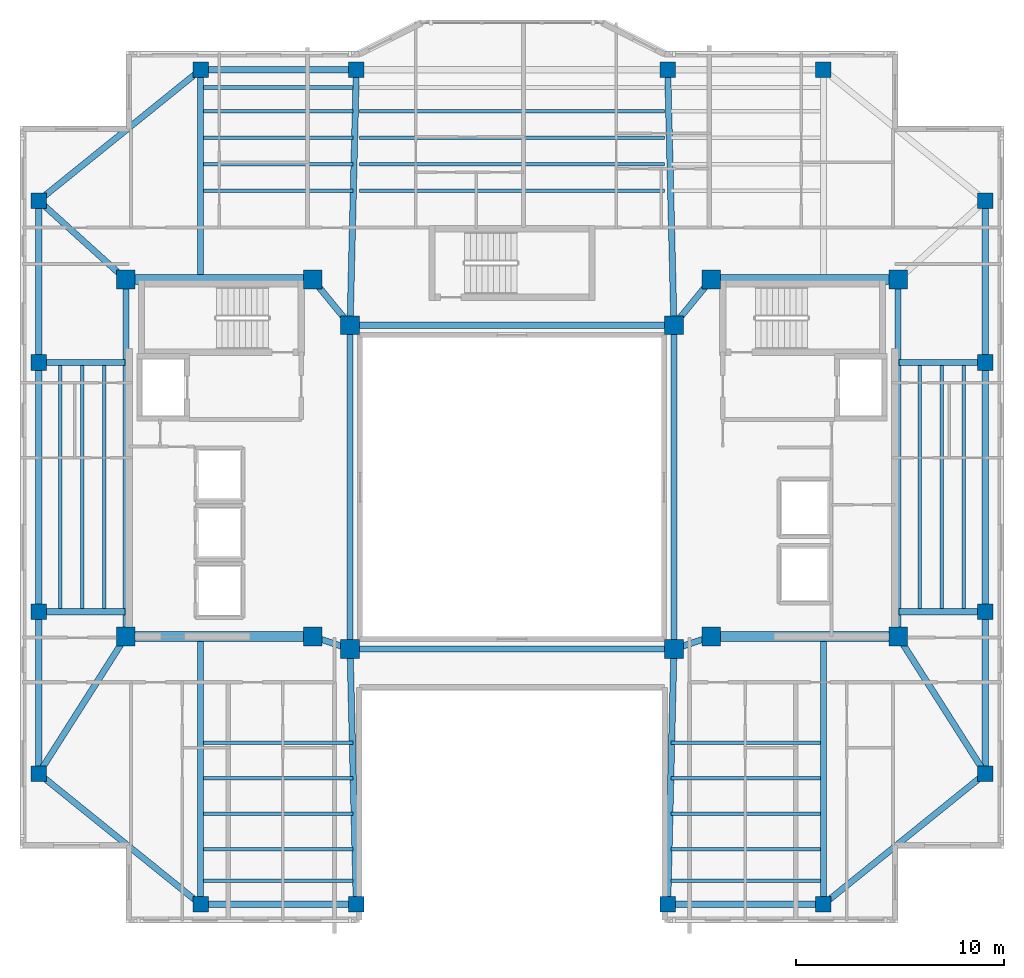
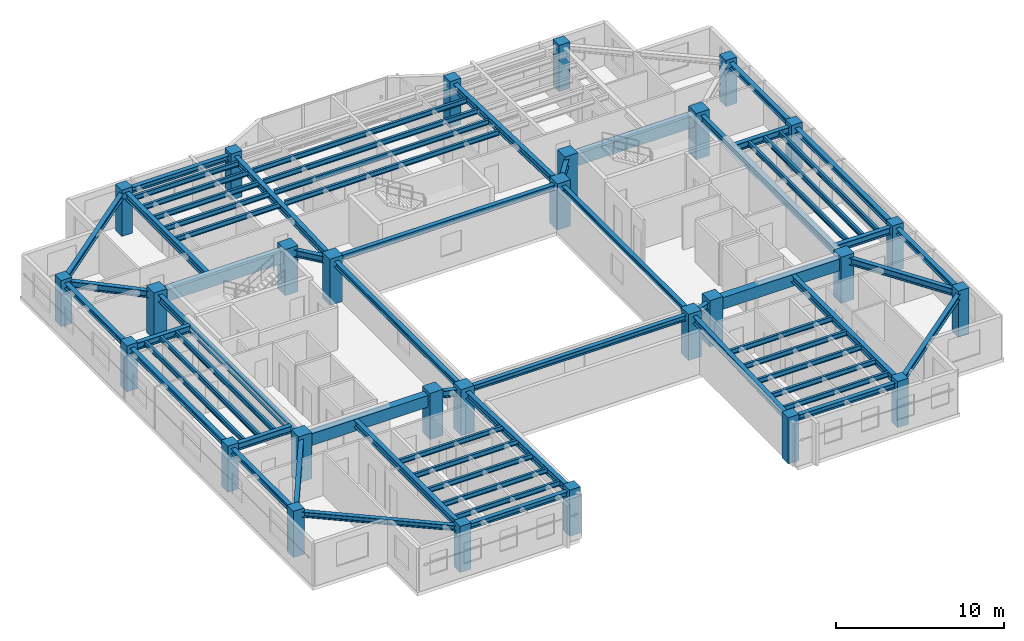
# One storey, part 1 of 12: 65 beams, 28 columns.
"""IFC4 building model written with IfcOpenShell, lengths in metres."""

from ifc_helpers import new_model, si_unit, direction, frame, origin, origin_2d, place, context, subcontext, project, spatial, rectangle, i_section, extrude, material, material_profile, profile_set, type_object, element, save


model = new_model("IFC4")

# Units and contexts
model_context = context("Model", 3, precision=1e-05, world=origin(), true_north=direction((0.0, 1.0)))
body_context = subcontext(model_context, "Body", "Model", "MODEL_VIEW")
ifc_project = project(units=[si_unit("LENGTHUNIT", "METRE"), si_unit("AREAUNIT", "SQUARE_METRE"), si_unit("VOLUMEUNIT", "CUBIC_METRE"), si_unit("PLANEANGLEUNIT", "RADIAN"), si_unit("MASSUNIT", "GRAM", prefix="KILO")], contexts=[model_context])

# Site, building, storey
site_placement = place(None, origin())
site = spatial("IfcSite", under=ifc_project, at=site_placement, CompositionType="ELEMENT")
building_placement = place(site_placement, origin())
building = spatial("IfcBuilding", under=site, at=building_placement, Name="Tarnavaz Court Tower", CompositionType="ELEMENT")
storey_placement = place(building_placement, frame((0.0, 0.0, 207.0)))
storey = spatial("IfcBuildingStorey", under=building, at=storey_placement, Name="L56", CompositionType="ELEMENT", Elevation=207.0)

# Columns
ifc_material_1 = material(Name="Concrete C50/60", Category="concrete")
ifc_material_profile_1 = material_profile(ifc_material_1, rectangle(XDim=0.75, YDim=0.75, at=origin_2d()), Name="RC 750X750")
ifc_profile_set_1 = profile_set([ifc_material_profile_1], Name="Concrete C50/60")
column_type_1 = type_object("IfcColumnType", Name="CL-RC750", PredefinedType="COLUMN", material=ifc_profile_set_1)
for number, where, z_axis, x_axis, name in (
    (1, (-15.0, 20.10009765625, 0.0), (0.0, 0.0, 1.0), (1.0, 0.0, 0.0), "L56 Column PN-1"),
    (2, (-7.5, 20.10009765625, 0.0), (0.0, 0.0, 1.0), (1.0, 0.0, 0.0), "L56 Column PN-2"),
    (3, (7.5, 20.10009765625, 0.0), (0.0, 0.0, 1.0), (1.0, 0.0, 0.0), "L56 Column PN-3"),
    (4, (15.0, 20.10009765625, 0.0), (0.0, 0.0, 1.0), (1.0, 0.0, 0.0), "L56 Column PN-4"),
    (5, (-15.0, -20.10009765625, 0.0), (0.0, 0.0, 1.0), (1.0, 0.0, 0.0), "L56 Column PS-1"),
    (6, (-7.5, -20.10009765625, 0.0), (0.0, 0.0, 1.0), (1.0, 0.0, 0.0), "L56 Column PS-2"),
    (7, (7.5, -20.10009765625, 0.0), (0.0, 0.0, 1.0), (1.0, 0.0, 0.0), "L56 Column PS-3"),
    (8, (15.0, -20.10009765625, 0.0), (0.0, 0.0, 1.0), (1.0, 0.0, 0.0), "L56 Column PS-4"),
    (9, (22.800048828125, -13.800048828125, 0.0), (0.0, 0.0, 1.0), (1.0, 0.0, 0.0), "L56 Column PE-1"),
    (10, (22.800048828125, -6.0, 0.0), (0.0, 0.0, 1.0), (1.0, 0.0, 0.0), "L56 Column PE-2"),
    (11, (22.800048828125, 6.0, 0.0), (0.0, 0.0, 1.0), (1.0, 0.0, 0.0), "L56 Column PE-3"),
    (12, (22.800048828125, 13.800048828125, 0.0), (0.0, 0.0, 1.0), (1.0, 0.0, 0.0), "L56 Column PE-4"),
    (13, (-22.800048828125, -13.800048828125, 0.0), (0.0, 0.0, 1.0), (1.0, 0.0, 0.0), "L56 Column PW-1"),
    (14, (-22.800048828125, -6.0, 0.0), (0.0, 0.0, 1.0), (1.0, 0.0, 0.0), "L56 Column PW-2"),
    (15, (-22.800048828125, 6.0, 0.0), (0.0, 0.0, 1.0), (1.0, 0.0, 0.0), "L56 Column PW-3"),
    (16, (-22.800048828125, 13.800048828125, 0.0), (0.0, 0.0, 1.0), (1.0, 0.0, 0.0), "L56 Column PW-4"),
):
    element("IfcColumn", number, at=place(storey_placement, frame(where, z_axis=z_axis, x_axis=x_axis)), inside=storey, type_object=column_type_1, Name=name, PredefinedType="COLUMN", context=body_context, shape_type="SweptSolid", body=[
        extrude(rectangle(XDim=0.75, YDim=0.75, at=origin_2d()), origin(), (0.0, 0.0, 1.0), 3.35009765625),
    ])
ifc_material_profile_2 = material_profile(ifc_material_1, rectangle(XDim=0.89990234375, YDim=0.89990234375, at=origin_2d()), Name="RC 900X900")
ifc_profile_set_2 = profile_set([ifc_material_profile_2], Name="Concrete C50/60")
column_type_2 = type_object("IfcColumnType", Name="CL-RC900", PredefinedType="COLUMN", material=ifc_profile_set_2)
for number, where, z_axis, x_axis, name in (
    (17, (-7.800048828125, -7.800048828125, 0.0), (0.0, 0.0, 1.0), (1.0, 0.0, 0.0), "L56 Column IW-SW"),
    (18, (7.800048828125, -7.800048828125, 0.0), (0.0, 0.0, 1.0), (1.0, 0.0, 0.0), "L56 Column IW-SE"),
    (19, (-7.800048828125, 7.800048828125, 0.0), (0.0, 0.0, 1.0), (1.0, 0.0, 0.0), "L56 Column IW-NW"),
    (20, (7.800048828125, 7.800048828125, 0.0), (0.0, 0.0, 1.0), (1.0, 0.0, 0.0), "L56 Column IW-NE"),
    (21, (-9.60009765625, -7.199951171875, 0.0), (0.0, 0.0, 1.0), (1.0, 0.0, 0.0), "L56 Column CW-SI"),
    (22, (-9.60009765625, 10.0, 0.0), (0.0, 0.0, 1.0), (1.0, 0.0, 0.0), "L56 Column CW-NI"),
    (23, (9.60009765625, -7.199951171875, 0.0), (0.0, 0.0, 1.0), (1.0, 0.0, 0.0), "L56 Column CE-SI"),
    (24, (9.60009765625, 10.0, 0.0), (0.0, 0.0, 1.0), (1.0, 0.0, 0.0), "L56 Column CE-NI"),
    (25, (-18.60009765625, -7.199951171875, 0.0), (0.0, 0.0, 1.0), (1.0, 0.0, 0.0), "L56 Column CW-SO"),
    (26, (-18.60009765625, 10.0, 0.0), (0.0, 0.0, 1.0), (1.0, 0.0, 0.0), "L56 Column CW-NO"),
    (27, (18.60009765625, -7.199951171875, 0.0), (0.0, 0.0, 1.0), (1.0, 0.0, 0.0), "L56 Column CE-SO"),
    (28, (18.60009765625, 10.0, 0.0), (0.0, 0.0, 1.0), (1.0, 0.0, 0.0), "L56 Column CE-NO"),
):
    element("IfcColumn", number, at=place(storey_placement, frame(where, z_axis=z_axis, x_axis=x_axis)), inside=storey, type_object=column_type_2, Name=name, PredefinedType="COLUMN", context=body_context, shape_type="SweptSolid", body=[
        extrude(rectangle(XDim=0.89990234375, YDim=0.89990234375, at=origin_2d()), origin(), (0.0, 0.0, 1.0), 3.35009765625),
    ])

# Beams
ifc_material_profile_3 = material_profile(ifc_material_1, rectangle(XDim=0.5, YDim=0.85009765625, at=origin_2d()), Name="RC 500X850")
ifc_profile_set_3 = profile_set([ifc_material_profile_3], Name="Concrete C50/60")
beam_type_1 = type_object("IfcBeamType", Name="BM-CB850", PredefinedType="LINTEL", material=ifc_profile_set_3)
for number, where, z_axis, x_axis, name in (
    (29, (-18.3798828125, -7.199951171875, 2.675048828125), (1.0, 0.0, 0.0), (0.0, 1.0, 0.0), "L56 Beam IN-CW-SO-CW-SI"),
    (30, (-18.3798828125, 10.0, 2.675048828125), (1.0, 0.0, 0.0), (0.0, 1.0, 0.0), "L56 Beam IN-CW-NO-CW-NI"),
    (31, (18.3798828125, -7.199951171875, 2.675048828125), (-1.0, 0.0, 0.0), (0.0, -1.0, 0.0), "L56 Beam IN-CE-SO-CE-SI"),
    (32, (18.3798828125, 10.0, 2.675048828125), (-1.0, 0.0, 0.0), (0.0, -1.0, 0.0), "L56 Beam IN-CE-NO-CE-NI"),
):
    element("IfcBeam", number, at=place(storey_placement, frame(where, z_axis=z_axis, x_axis=x_axis)), inside=storey, type_object=beam_type_1, Name=name, PredefinedType="LINTEL", context=body_context, shape_type="SweptSolid", body=[
        extrude(rectangle(XDim=0.5, YDim=0.85009765625, at=origin_2d()), origin(), (0.0, 0.0, 1.0), 8.559814453125),
    ])
ifc_material_2 = material(Name="Steel S355", Category="steel")
ifc_material_profile_4 = material_profile(ifc_material_2, i_section(OverallWidth=0.300048828125, OverallDepth=0.5, WebThickness=0.014404296875, FlangeThickness=0.028076171875, FilletRadius=0.027099609375, at=origin_2d()), Name="HEB 500")
ifc_profile_set_4 = profile_set([ifc_material_profile_4], Name="Steel S355")
beam_type_2 = type_object("IfcBeamType", Name="BM-G-HEB500", PredefinedType="USERDEFINED", material=ifc_profile_set_4)
for number, where, z_axis, x_axis, name in (
    (33, (-9.391357421875, -7.26953125, 2.85009765625), (0.948666544706, -0.316278021615, 0.0), (0.316278021615, 0.948666544706, 0.0), "L56 Beam IN-CW-SI-IW-SW"),
    (34, (9.391357421875, -7.26953125, 2.85009765625), (-0.948666544706, -0.316278021615, 0.0), (0.316278021615, -0.948666544706, 0.0), "L56 Beam IN-CE-SI-IW-SE"),
):
    element("IfcBeam", number, at=place(storey_placement, frame(where, z_axis=z_axis, x_axis=x_axis)), inside=storey, type_object=beam_type_2, Name=name, ObjectType="GIRDER", PredefinedType="USERDEFINED", context=body_context, shape_type="SweptSolid", body=[
        extrude(i_section(OverallWidth=0.300048828125, OverallDepth=0.5, WebThickness=0.014404296875, FlangeThickness=0.028076171875, FilletRadius=0.027099609375, at=origin_2d()), origin(), (0.0, 0.0, 1.0), 1.457275390625),
    ])
for number, where, z_axis, x_axis, name in (
    (35, (-9.460693359375, 9.82958984375, 2.85009765625), (0.633282058357, -0.773921077735, 0.0), (0.773921077735, 0.633282058357, 0.0), "L56 Beam IN-CW-NI-IW-NW"),
    (36, (9.460693359375, 9.82958984375, 2.85009765625), (-0.633282058357, -0.773921077735, 0.0), (0.773921077735, -0.633282058357, 0.0), "L56 Beam IN-CE-NI-IW-NE"),
):
    element("IfcBeam", number, at=place(storey_placement, frame(where, z_axis=z_axis, x_axis=x_axis)), inside=storey, type_object=beam_type_2, Name=name, ObjectType="GIRDER", PredefinedType="USERDEFINED", context=body_context, shape_type="SweptSolid", body=[
        extrude(i_section(OverallWidth=0.300048828125, OverallDepth=0.5, WebThickness=0.014404296875, FlangeThickness=0.028076171875, FilletRadius=0.027099609375, at=origin_2d()), origin(), (0.0, 0.0, 1.0), 2.402587890625),
    ])
for number, where, z_axis, x_axis, name in (
    (37, (-18.60009765625, -6.97998046875, 2.85009765625), (0.0, 1.0, 0.0), (-1.0, 0.0, 0.0), "L56 Beam IN-CW-SO-CW-NO"),
    (38, (18.60009765625, -6.97998046875, 2.85009765625), (0.0, 1.0, 0.0), (-1.0, 0.0, 0.0), "L56 Beam IN-CE-SO-CE-NO"),
):
    element("IfcBeam", number, at=place(storey_placement, frame(where, z_axis=z_axis, x_axis=x_axis)), inside=storey, type_object=beam_type_2, Name=name, ObjectType="GIRDER", PredefinedType="USERDEFINED", context=body_context, shape_type="SweptSolid", body=[
        extrude(i_section(OverallWidth=0.300048828125, OverallDepth=0.5, WebThickness=0.014404296875, FlangeThickness=0.028076171875, FilletRadius=0.027099609375, at=origin_2d()), origin(), (0.0, 0.0, 1.0), 16.760009765625),
    ])
beam_1_placement = place(storey_placement, frame((-15.0, 10.0400390625, 2.85009765625), z_axis=(0.0, 1.0, 0.0), x_axis=(-1.0, 0.0, 0.0)))
element("IfcBeam", 39, at=beam_1_placement, inside=storey, type_object=beam_type_2, Name="L56 Beam RG-01", ObjectType="GIRDER", PredefinedType="USERDEFINED", context=body_context, shape_type="SweptSolid", body=[
    extrude(i_section(OverallWidth=0.300048828125, OverallDepth=0.5, WebThickness=0.014404296875, FlangeThickness=0.028076171875, FilletRadius=0.027099609375, at=origin_2d()), origin(), (0.0, 0.0, 1.0), 9.83984375),
])
for number, where, z_axis, x_axis, name in (
    (40, (-7.794677734375, 8.02001953125, 2.85009765625), (0.024386002211, 0.99970261723, 0.0), (-0.99970261723, 0.024386002211, 0.0), "L56 Beam RG-02"),
    (41, (7.794677734375, 8.02001953125, 2.85009765625), (-0.024386002211, 0.99970261723, 0.0), (-0.99970261723, -0.024386002211, 0.0), "L56 Beam RG-03"),
):
    element("IfcBeam", number, at=place(storey_placement, frame(where, z_axis=z_axis, x_axis=x_axis)), inside=storey, type_object=beam_type_2, Name=name, ObjectType="GIRDER", PredefinedType="USERDEFINED", context=body_context, shape_type="SweptSolid", body=[
        extrude(i_section(OverallWidth=0.300048828125, OverallDepth=0.5, WebThickness=0.014404296875, FlangeThickness=0.028076171875, FilletRadius=0.027099609375, at=origin_2d()), origin(), (0.0, 0.0, 1.0), 11.863525390625),
    ])
beam_2_placement = place(storey_placement, frame((-15.0, -7.239990234375, 2.85009765625), z_axis=(0.0, -1.0, 0.0), x_axis=(1.0, 0.0, 0.0)))
element("IfcBeam", 42, at=beam_2_placement, inside=storey, type_object=beam_type_2, Name="L56 Beam RG-05", ObjectType="GIRDER", PredefinedType="USERDEFINED", context=body_context, shape_type="SweptSolid", body=[
    extrude(i_section(OverallWidth=0.300048828125, OverallDepth=0.5, WebThickness=0.014404296875, FlangeThickness=0.028076171875, FilletRadius=0.027099609375, at=origin_2d()), origin(), (0.0, 0.0, 1.0), 12.639892578125),
])
for number, where, z_axis, x_axis, name in (
    (43, (-7.794677734375, -8.02001953125, 2.85009765625), (0.024386002211, -0.99970261723, 0.0), (0.99970261723, 0.024386002211, 0.0), "L56 Beam RG-06"),
    (44, (7.794677734375, -8.02001953125, 2.85009765625), (-0.024386002211, -0.99970261723, 0.0), (0.99970261723, -0.024386002211, 0.0), "L56 Beam RG-07"),
):
    element("IfcBeam", number, at=place(storey_placement, frame(where, z_axis=z_axis, x_axis=x_axis)), inside=storey, type_object=beam_type_2, Name=name, ObjectType="GIRDER", PredefinedType="USERDEFINED", context=body_context, shape_type="SweptSolid", body=[
        extrude(i_section(OverallWidth=0.300048828125, OverallDepth=0.5, WebThickness=0.014404296875, FlangeThickness=0.028076171875, FilletRadius=0.027099609375, at=origin_2d()), origin(), (0.0, 0.0, 1.0), 11.863525390625),
    ])
beam_3_placement = place(storey_placement, frame((15.0, -7.239990234375, 2.85009765625), z_axis=(0.0, -1.0, 0.0), x_axis=(1.0, 0.0, 0.0)))
element("IfcBeam", 45, at=beam_3_placement, inside=storey, type_object=beam_type_2, Name="L56 Beam RG-08", ObjectType="GIRDER", PredefinedType="USERDEFINED", context=body_context, shape_type="SweptSolid", body=[
    extrude(i_section(OverallWidth=0.300048828125, OverallDepth=0.5, WebThickness=0.014404296875, FlangeThickness=0.028076171875, FilletRadius=0.027099609375, at=origin_2d()), origin(), (0.0, 0.0, 1.0), 12.639892578125),
])
for number, where, z_axis, x_axis, name in (
    (46, (18.639892578125, -6.0, 2.85009765625), (1.0, 0.0, 0.0), (0.0, 1.0, 0.0), "L56 Beam RG-09"),
    (47, (18.639892578125, 6.0, 2.85009765625), (1.0, 0.0, 0.0), (0.0, 1.0, 0.0), "L56 Beam RG-10"),
):
    element("IfcBeam", number, at=place(storey_placement, frame(where, z_axis=z_axis, x_axis=x_axis)), inside=storey, type_object=beam_type_2, Name=name, ObjectType="GIRDER", PredefinedType="USERDEFINED", context=body_context, shape_type="SweptSolid", body=[
        extrude(i_section(OverallWidth=0.300048828125, OverallDepth=0.5, WebThickness=0.014404296875, FlangeThickness=0.028076171875, FilletRadius=0.027099609375, at=origin_2d()), origin(), (0.0, 0.0, 1.0), 3.940185546875),
    ])
beam_4_placement = place(storey_placement, frame((18.718017578125, -7.385498046875, 2.85009765625), z_axis=(0.536871212964, -0.843664210863, 0.0), x_axis=(0.843664210863, 0.536871212964, 0.0)))
element("IfcBeam", 48, at=beam_4_placement, inside=storey, type_object=beam_type_2, Name="L56 Beam RG-11", ObjectType="GIRDER", PredefinedType="USERDEFINED", context=body_context, shape_type="SweptSolid", body=[
    extrude(i_section(OverallWidth=0.300048828125, OverallDepth=0.5, WebThickness=0.014404296875, FlangeThickness=0.028076171875, FilletRadius=0.027099609375, at=origin_2d()), origin(), (0.0, 0.0, 1.0), 7.38330078125),
])
for number, where, z_axis, x_axis, name in (
    (49, (-18.639892578125, -6.0, 2.85009765625), (-1.0, 0.0, 0.0), (0.0, -1.0, 0.0), "L56 Beam RG-13"),
    (50, (-18.639892578125, 6.0, 2.85009765625), (-1.0, 0.0, 0.0), (0.0, -1.0, 0.0), "L56 Beam RG-14"),
):
    element("IfcBeam", number, at=place(storey_placement, frame(where, z_axis=z_axis, x_axis=x_axis)), inside=storey, type_object=beam_type_2, Name=name, ObjectType="GIRDER", PredefinedType="USERDEFINED", context=body_context, shape_type="SweptSolid", body=[
        extrude(i_section(OverallWidth=0.300048828125, OverallDepth=0.5, WebThickness=0.014404296875, FlangeThickness=0.028076171875, FilletRadius=0.027099609375, at=origin_2d()), origin(), (0.0, 0.0, 1.0), 3.940185546875),
    ])
beam_5_placement = place(storey_placement, frame((-18.718017578125, -7.385498046875, 2.85009765625), z_axis=(-0.536871212964, -0.843664210863, 0.0), x_axis=(0.843664210863, -0.536871212964, 0.0)))
element("IfcBeam", 51, at=beam_5_placement, inside=storey, type_object=beam_type_2, Name="L56 Beam RG-15", ObjectType="GIRDER", PredefinedType="USERDEFINED", context=body_context, shape_type="SweptSolid", body=[
    extrude(i_section(OverallWidth=0.300048828125, OverallDepth=0.5, WebThickness=0.014404296875, FlangeThickness=0.028076171875, FilletRadius=0.027099609375, at=origin_2d()), origin(), (0.0, 0.0, 1.0), 7.38330078125),
])
beam_6_placement = place(storey_placement, frame((-18.76318359375, 10.147705078125, 2.85009765625), z_axis=(-0.741555708494, 0.670891296113, 0.0), x_axis=(-0.670891296113, -0.741555708494, 0.0)))
element("IfcBeam", 52, at=beam_6_placement, inside=storey, type_object=beam_type_2, Name="L56 Beam RG-16", ObjectType="GIRDER", PredefinedType="USERDEFINED", context=body_context, shape_type="SweptSolid", body=[
    extrude(i_section(OverallWidth=0.300048828125, OverallDepth=0.5, WebThickness=0.014404296875, FlangeThickness=0.028076171875, FilletRadius=0.027099609375, at=origin_2d()), origin(), (0.0, 0.0, 1.0), 5.223876953125),
])
ifc_material_profile_5 = material_profile(ifc_material_2, i_section(OverallWidth=0.169921875, OverallDepth=0.360107421875, WebThickness=0.008056640625, FlangeThickness=0.0126953125, FilletRadius=0.01806640625, at=origin_2d()), Name="IPE 360")
ifc_profile_set_5 = profile_set([ifc_material_profile_5], Name="Steel S355")
beam_type_3 = type_object("IfcBeamType", Name="BM-J-IPE360", PredefinedType="JOIST", material=ifc_profile_set_5)
beam_7_placement = place(storey_placement, frame((-14.85009765625, 14.278076171875, 2.919921875), z_axis=(1.0, 0.0, 0.0), x_axis=(0.0, 1.0, 0.0)))
element("IfcBeam", 53, at=beam_7_placement, inside=storey, type_object=beam_type_3, Name="L56 Beam JN1-1", PredefinedType="JOIST", context=body_context, shape_type="SweptSolid", body=[
    extrude(i_section(OverallWidth=0.169921875, OverallDepth=0.360107421875, WebThickness=0.008056640625, FlangeThickness=0.0126953125, FilletRadius=0.01806640625, at=origin_2d()), origin(), (0.0, 0.0, 1.0), 7.2001953125),
])
beam_8_placement = place(storey_placement, frame((-7.35009765625, 14.278076171875, 2.919921875), z_axis=(1.0, 0.0, 0.0), x_axis=(0.0, 1.0, 0.0)))
element("IfcBeam", 54, at=beam_8_placement, inside=storey, type_object=beam_type_3, Name="L56 Beam JN1-2", PredefinedType="JOIST", context=body_context, shape_type="SweptSolid", body=[
    extrude(i_section(OverallWidth=0.169921875, OverallDepth=0.360107421875, WebThickness=0.008056640625, FlangeThickness=0.0126953125, FilletRadius=0.01806640625, at=origin_2d()), origin(), (0.0, 0.0, 1.0), 14.7001953125),
])
for number, where, z_axis, x_axis, name in (
    (55, (-14.85009765625, -12.31005859375, 2.919921875), (1.0, 0.0, 0.0), (0.0, 1.0, 0.0), "L56 Beam JS1-1"),
    (56, (7.64990234375, -12.31005859375, 2.919921875), (1.0, 0.0, 0.0), (0.0, 1.0, 0.0), "L56 Beam JS1-2"),
    (57, (-14.85009765625, 15.555908203125, 2.919921875), (1.0, 0.0, 0.0), (0.0, 1.0, 0.0), "L56 Beam JN2-1"),
):
    element("IfcBeam", number, at=place(storey_placement, frame(where, z_axis=z_axis, x_axis=x_axis)), inside=storey, type_object=beam_type_3, Name=name, PredefinedType="JOIST", context=body_context, shape_type="SweptSolid", body=[
        extrude(i_section(OverallWidth=0.169921875, OverallDepth=0.360107421875, WebThickness=0.008056640625, FlangeThickness=0.0126953125, FilletRadius=0.01806640625, at=origin_2d()), origin(), (0.0, 0.0, 1.0), 7.2001953125),
    ])
beam_9_placement = place(storey_placement, frame((-7.35009765625, 15.555908203125, 2.919921875), z_axis=(1.0, 0.0, 0.0), x_axis=(0.0, 1.0, 0.0)))
element("IfcBeam", 58, at=beam_9_placement, inside=storey, type_object=beam_type_3, Name="L56 Beam JN2-2", PredefinedType="JOIST", context=body_context, shape_type="SweptSolid", body=[
    extrude(i_section(OverallWidth=0.169921875, OverallDepth=0.360107421875, WebThickness=0.008056640625, FlangeThickness=0.0126953125, FilletRadius=0.01806640625, at=origin_2d()), origin(), (0.0, 0.0, 1.0), 14.7001953125),
])
for number, where, z_axis, x_axis, name in (
    (59, (-14.85009765625, -14.02001953125, 2.919921875), (1.0, 0.0, 0.0), (0.0, 1.0, 0.0), "L56 Beam JS2-1"),
    (60, (7.64990234375, -14.02001953125, 2.919921875), (1.0, 0.0, 0.0), (0.0, 1.0, 0.0), "L56 Beam JS2-2"),
    (61, (-14.85009765625, 16.833984375, 2.919921875), (1.0, 0.0, 0.0), (0.0, 1.0, 0.0), "L56 Beam JN3-1"),
):
    element("IfcBeam", number, at=place(storey_placement, frame(where, z_axis=z_axis, x_axis=x_axis)), inside=storey, type_object=beam_type_3, Name=name, PredefinedType="JOIST", context=body_context, shape_type="SweptSolid", body=[
        extrude(i_section(OverallWidth=0.169921875, OverallDepth=0.360107421875, WebThickness=0.008056640625, FlangeThickness=0.0126953125, FilletRadius=0.01806640625, at=origin_2d()), origin(), (0.0, 0.0, 1.0), 7.2001953125),
    ])
beam_10_placement = place(storey_placement, frame((-7.35009765625, 16.833984375, 2.919921875), z_axis=(1.0, 0.0, 0.0), x_axis=(0.0, 1.0, 0.0)))
element("IfcBeam", 62, at=beam_10_placement, inside=storey, type_object=beam_type_3, Name="L56 Beam JN3-2", PredefinedType="JOIST", context=body_context, shape_type="SweptSolid", body=[
    extrude(i_section(OverallWidth=0.169921875, OverallDepth=0.360107421875, WebThickness=0.008056640625, FlangeThickness=0.0126953125, FilletRadius=0.01806640625, at=origin_2d()), origin(), (0.0, 0.0, 1.0), 14.7001953125),
])
for number, where, z_axis, x_axis, name in (
    (63, (-14.85009765625, -15.72998046875, 2.919921875), (1.0, 0.0, 0.0), (0.0, 1.0, 0.0), "L56 Beam JS3-1"),
    (64, (7.64990234375, -15.72998046875, 2.919921875), (1.0, 0.0, 0.0), (0.0, 1.0, 0.0), "L56 Beam JS3-2"),
    (65, (-14.85009765625, 18.112060546875, 2.919921875), (1.0, 0.0, 0.0), (0.0, 1.0, 0.0), "L56 Beam JN4-1"),
):
    element("IfcBeam", number, at=place(storey_placement, frame(where, z_axis=z_axis, x_axis=x_axis)), inside=storey, type_object=beam_type_3, Name=name, PredefinedType="JOIST", context=body_context, shape_type="SweptSolid", body=[
        extrude(i_section(OverallWidth=0.169921875, OverallDepth=0.360107421875, WebThickness=0.008056640625, FlangeThickness=0.0126953125, FilletRadius=0.01806640625, at=origin_2d()), origin(), (0.0, 0.0, 1.0), 7.2001953125),
    ])
beam_11_placement = place(storey_placement, frame((-7.35009765625, 18.112060546875, 2.919921875), z_axis=(1.0, 0.0, 0.0), x_axis=(0.0, 1.0, 0.0)))
element("IfcBeam", 66, at=beam_11_placement, inside=storey, type_object=beam_type_3, Name="L56 Beam JN4-2", PredefinedType="JOIST", context=body_context, shape_type="SweptSolid", body=[
    extrude(i_section(OverallWidth=0.169921875, OverallDepth=0.360107421875, WebThickness=0.008056640625, FlangeThickness=0.0126953125, FilletRadius=0.01806640625, at=origin_2d()), origin(), (0.0, 0.0, 1.0), 14.7001953125),
])
for number, where, z_axis, x_axis, name in (
    (67, (-14.85009765625, -17.43994140625, 2.919921875), (1.0, 0.0, 0.0), (0.0, 1.0, 0.0), "L56 Beam JS4-1"),
    (68, (7.64990234375, -17.43994140625, 2.919921875), (1.0, 0.0, 0.0), (0.0, 1.0, 0.0), "L56 Beam JS4-2"),
    (69, (-14.85009765625, 19.248046875, 2.919921875), (1.0, 0.0, 0.0), (0.0, 1.0, 0.0), "L56 Beam JN5-1"),
    (70, (-14.85009765625, -18.9599609375, 2.919921875), (1.0, 0.0, 0.0), (0.0, 1.0, 0.0), "L56 Beam JS5-1"),
    (71, (7.64990234375, -18.9599609375, 2.919921875), (1.0, 0.0, 0.0), (0.0, 1.0, 0.0), "L56 Beam JS5-2"),
):
    element("IfcBeam", number, at=place(storey_placement, frame(where, z_axis=z_axis, x_axis=x_axis)), inside=storey, type_object=beam_type_3, Name=name, PredefinedType="JOIST", context=body_context, shape_type="SweptSolid", body=[
        extrude(i_section(OverallWidth=0.169921875, OverallDepth=0.360107421875, WebThickness=0.008056640625, FlangeThickness=0.0126953125, FilletRadius=0.01806640625, at=origin_2d()), origin(), (0.0, 0.0, 1.0), 7.2001953125),
    ])
for number, where, z_axis, x_axis, name in (
    (72, (19.64990234375, -5.9599609375, 2.919921875), (0.0, 1.0, 0.0), (-1.0, 0.0, 0.0), "L56 Beam JE1"),
    (73, (-19.64990234375, -5.9599609375, 2.919921875), (0.0, 1.0, 0.0), (-1.0, 0.0, 0.0), "L56 Beam JW1"),
    (74, (20.699951171875, -5.9599609375, 2.919921875), (0.0, 1.0, 0.0), (-1.0, 0.0, 0.0), "L56 Beam JE2"),
    (75, (-20.699951171875, -5.9599609375, 2.919921875), (0.0, 1.0, 0.0), (-1.0, 0.0, 0.0), "L56 Beam JW2"),
    (76, (21.75, -5.9599609375, 2.919921875), (0.0, 1.0, 0.0), (-1.0, 0.0, 0.0), "L56 Beam JE3"),
    (77, (-21.75, -5.9599609375, 2.919921875), (0.0, 1.0, 0.0), (-1.0, 0.0, 0.0), "L56 Beam JW3"),
):
    element("IfcBeam", number, at=place(storey_placement, frame(where, z_axis=z_axis, x_axis=x_axis)), inside=storey, type_object=beam_type_3, Name=name, PredefinedType="JOIST", context=body_context, shape_type="SweptSolid", body=[
        extrude(i_section(OverallWidth=0.169921875, OverallDepth=0.360107421875, WebThickness=0.008056640625, FlangeThickness=0.0126953125, FilletRadius=0.01806640625, at=origin_2d()), origin(), (0.0, 0.0, 1.0), 11.919921875),
    ])
ifc_material_profile_6 = material_profile(ifc_material_2, i_section(OverallWidth=0.300048828125, OverallDepth=0.389892578125, WebThickness=0.010986328125, FlangeThickness=0.01904296875, FilletRadius=0.027099609375, at=origin_2d()), Name="HEA 400")
ifc_profile_set_6 = profile_set([ifc_material_profile_6], Name="Steel S355")
beam_type_4 = type_object("IfcBeamType", Name="BM-SP-HEA400", PredefinedType="BEAM", material=ifc_profile_set_6)
for number, where, z_axis, x_axis, name in (
    (78, (-7.580078125, -7.800048828125, 2.905029296875), (1.0, 0.0, 0.0), (0.0, 1.0, 0.0), "L56 Beam IN-IW-SW-IW-SE"),
    (79, (-7.580078125, 7.800048828125, 2.905029296875), (1.0, 0.0, 0.0), (0.0, 1.0, 0.0), "L56 Beam IN-IW-NW-IW-NE"),
    (80, (-7.800048828125, -7.580078125, 2.905029296875), (0.0, 1.0, 0.0), (-1.0, 0.0, 0.0), "L56 Beam IN-IW-SW-IW-NW"),
    (81, (7.800048828125, -7.580078125, 2.905029296875), (0.0, 1.0, 0.0), (-1.0, 0.0, 0.0), "L56 Beam IN-IW-SE-IW-NE"),
):
    element("IfcBeam", number, at=place(storey_placement, frame(where, z_axis=z_axis, x_axis=x_axis)), inside=storey, type_object=beam_type_4, Name=name, PredefinedType="BEAM", context=body_context, shape_type="SweptSolid", body=[
        extrude(i_section(OverallWidth=0.300048828125, OverallDepth=0.389892578125, WebThickness=0.010986328125, FlangeThickness=0.01904296875, FilletRadius=0.027099609375, at=origin_2d()), origin(), (0.0, 0.0, 1.0), 15.16015625),
    ])
for number, where, z_axis, x_axis, name in (
    (82, (-14.780029296875, 20.10009765625, 2.905029296875), (1.0, 0.0, 0.0), (0.0, 1.0, 0.0), "L56 Beam PR-PN-1-PN-2"),
    (83, (-14.780029296875, -20.10009765625, 2.905029296875), (1.0, 0.0, 0.0), (0.0, 1.0, 0.0), "L56 Beam PR-PS-1-PS-2"),
    (84, (7.719970703125, -20.10009765625, 2.905029296875), (1.0, 0.0, 0.0), (0.0, 1.0, 0.0), "L56 Beam PR-PS-3-PS-4"),
):
    element("IfcBeam", number, at=place(storey_placement, frame(where, z_axis=z_axis, x_axis=x_axis)), inside=storey, type_object=beam_type_4, Name=name, PredefinedType="BEAM", context=body_context, shape_type="SweptSolid", body=[
        extrude(i_section(OverallWidth=0.300048828125, OverallDepth=0.389892578125, WebThickness=0.010986328125, FlangeThickness=0.01904296875, FilletRadius=0.027099609375, at=origin_2d()), origin(), (0.0, 0.0, 1.0), 7.06005859375),
    ])
beam_12_placement = place(storey_placement, frame((22.800048828125, -13.580078125, 2.905029296875), z_axis=(0.0, 1.0, 0.0), x_axis=(-1.0, 0.0, 0.0)))
element("IfcBeam", 85, at=beam_12_placement, inside=storey, type_object=beam_type_4, Name="L56 Beam PR-PE-1-PE-2", PredefinedType="BEAM", context=body_context, shape_type="SweptSolid", body=[
    extrude(i_section(OverallWidth=0.300048828125, OverallDepth=0.389892578125, WebThickness=0.010986328125, FlangeThickness=0.01904296875, FilletRadius=0.027099609375, at=origin_2d()), origin(), (0.0, 0.0, 1.0), 7.360107421875),
])
beam_13_placement = place(storey_placement, frame((22.800048828125, -5.780029296875, 2.905029296875), z_axis=(0.0, 1.0, 0.0), x_axis=(-1.0, 0.0, 0.0)))
element("IfcBeam", 86, at=beam_13_placement, inside=storey, type_object=beam_type_4, Name="L56 Beam PR-PE-2-PE-3", PredefinedType="BEAM", context=body_context, shape_type="SweptSolid", body=[
    extrude(i_section(OverallWidth=0.300048828125, OverallDepth=0.389892578125, WebThickness=0.010986328125, FlangeThickness=0.01904296875, FilletRadius=0.027099609375, at=origin_2d()), origin(), (0.0, 0.0, 1.0), 11.56005859375),
])
for number, where, z_axis, x_axis, name in (
    (87, (22.800048828125, 6.219970703125, 2.905029296875), (0.0, 1.0, 0.0), (-1.0, 0.0, 0.0), "L56 Beam PR-PE-3-PE-4"),
    (88, (-22.800048828125, -13.580078125, 2.905029296875), (0.0, 1.0, 0.0), (-1.0, 0.0, 0.0), "L56 Beam PR-PW-1-PW-2"),
):
    element("IfcBeam", number, at=place(storey_placement, frame(where, z_axis=z_axis, x_axis=x_axis)), inside=storey, type_object=beam_type_4, Name=name, PredefinedType="BEAM", context=body_context, shape_type="SweptSolid", body=[
        extrude(i_section(OverallWidth=0.300048828125, OverallDepth=0.389892578125, WebThickness=0.010986328125, FlangeThickness=0.01904296875, FilletRadius=0.027099609375, at=origin_2d()), origin(), (0.0, 0.0, 1.0), 7.360107421875),
    ])
beam_14_placement = place(storey_placement, frame((-22.800048828125, -5.780029296875, 2.905029296875), z_axis=(0.0, 1.0, 0.0), x_axis=(-1.0, 0.0, 0.0)))
element("IfcBeam", 89, at=beam_14_placement, inside=storey, type_object=beam_type_4, Name="L56 Beam PR-PW-2-PW-3", PredefinedType="BEAM", context=body_context, shape_type="SweptSolid", body=[
    extrude(i_section(OverallWidth=0.300048828125, OverallDepth=0.389892578125, WebThickness=0.010986328125, FlangeThickness=0.01904296875, FilletRadius=0.027099609375, at=origin_2d()), origin(), (0.0, 0.0, 1.0), 11.56005859375),
])
beam_15_placement = place(storey_placement, frame((-22.800048828125, 6.219970703125, 2.905029296875), z_axis=(0.0, 1.0, 0.0), x_axis=(-1.0, 0.0, 0.0)))
element("IfcBeam", 90, at=beam_15_placement, inside=storey, type_object=beam_type_4, Name="L56 Beam PR-PW-3-PW-4", PredefinedType="BEAM", context=body_context, shape_type="SweptSolid", body=[
    extrude(i_section(OverallWidth=0.300048828125, OverallDepth=0.389892578125, WebThickness=0.010986328125, FlangeThickness=0.01904296875, FilletRadius=0.027099609375, at=origin_2d()), origin(), (0.0, 0.0, 1.0), 7.360107421875),
])
for number, where, z_axis, x_axis, name in (
    (91, (22.62890625, -13.938232421875, 2.905029296875), (-0.777935913531, -0.628343627674, 0.0), (0.628343627674, -0.777935913531, 0.0), "L56 Beam PR-PE-1-PS-4"),
    (92, (-15.171142578125, -19.9619140625, 2.905029296875), (-0.777935913531, 0.628343627674, 0.0), (-0.628343627674, -0.777935913531, 0.0), "L56 Beam PR-PS-1-PW-1"),
    (93, (-22.62890625, 13.938232421875, 2.905029296875), (0.777935913531, 0.628343627674, 0.0), (-0.628343627674, 0.777935913531, 0.0), "L56 Beam PR-PW-4-PN-1"),
):
    element("IfcBeam", number, at=place(storey_placement, frame(where, z_axis=z_axis, x_axis=x_axis)), inside=storey, type_object=beam_type_4, Name=name, PredefinedType="BEAM", context=body_context, shape_type="SweptSolid", body=[
        extrude(i_section(OverallWidth=0.300048828125, OverallDepth=0.389892578125, WebThickness=0.010986328125, FlangeThickness=0.01904296875, FilletRadius=0.027099609375, at=origin_2d()), origin(), (0.0, 0.0, 1.0), 9.586669921875),
    ])

save(model, "model.ifc")
